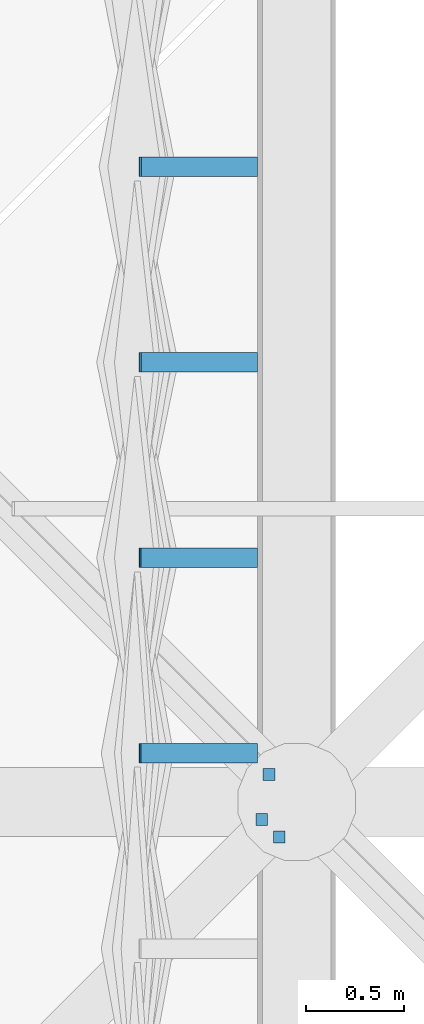
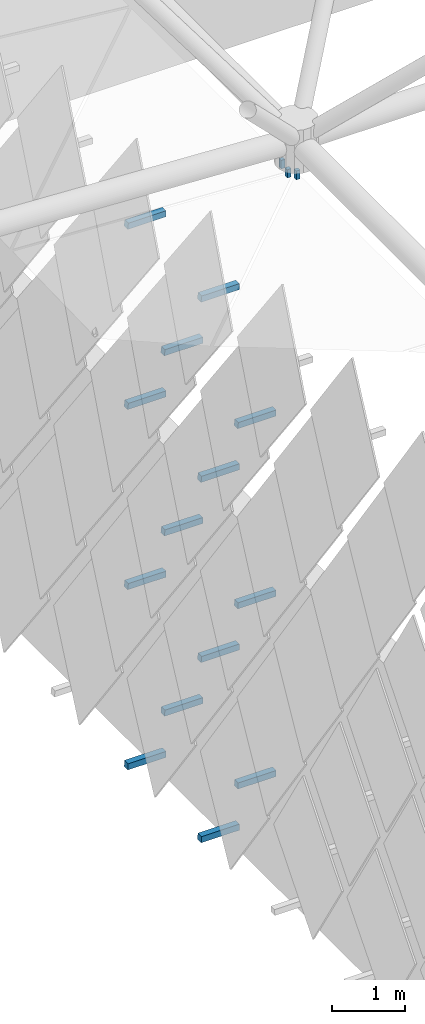
# One storey, part 361 of 437: 17 discrete accessories.
"""IFC4 building model written with IfcOpenShell, lengths in metres."""

import ifcopenshell
import ifcopenshell.guid

model = None  # the IFC model being written
_history = None  # IfcOwnerHistory: only IFC2X3 demands one
_inside = {}  # id of a spatial element -> (the spatial element, [elements in it])
_under = {}  # id of a project, library or spatial element -> (it, [spatial elements below it])
_declared = {}  # id of a project -> (the project, [libraries it declares])
_typed = {}  # id of a type object -> (the type object, [elements of that type])
_made_of = {}  # id of a material, layer set ... -> (it, [elements and type objects made of it])


def new_model(schema):
    """Start an empty IFC model of exactly this schema.

    Asked for "IFC4X3", IfcOpenShell would pick the latest addendum, in which some entities
    have other attributes; the version numbers below select the first issue.
    IFC2X3 requires an IfcOwnerHistory on every rooted entity: one is made here for all.
    """
    global model, _history
    if schema == "IFC4X3":
        model = ifcopenshell.file(schema_version=(4, 3, 0, 0))
    else:
        model = ifcopenshell.file(schema=schema)
    _inside.clear()
    _under.clear()
    _declared.clear()
    _typed.clear()
    _made_of.clear()
    _history = None
    if model.schema == "IFC2X3":
        org = make("IfcOrganization", Name="unknown")
        user = make(
            "IfcPersonAndOrganization",
            ThePerson=make("IfcPerson", FamilyName="unknown"),
            TheOrganization=org,
        )
        app = make(
            "IfcApplication",
            ApplicationDeveloper=org,
            Version="unknown",
            ApplicationFullName="unknown",
            ApplicationIdentifier="unknown",
        )
        _history = make(
            "IfcOwnerHistory",
            OwningUser=user,
            OwningApplication=app,
            ChangeAction="ADDED",
            CreationDate=0,
        )
    return model


def make(cls, **values):
    """One entity of the class cls with the attributes given. An attribute that is None is left unset."""
    return model.create_entity(
        cls, **{name: value for name, value in values.items() if value is not None}
    )


def rooted(cls, **values):
    """An entity with a GlobalId (a new one), such as an element, a storey or a relation."""
    return make(cls, GlobalId=ifcopenshell.guid.new(), OwnerHistory=_history, **values)


def si_unit(unit_type, name, prefix=None):
    """IfcSIUnit, for example si_unit("LENGTHUNIT", "METRE", prefix="MILLI")."""
    return make("IfcSIUnit", UnitType=unit_type, Prefix=prefix, Name=name)


def assignment(units):
    """IfcUnitAssignment: the units of a project."""
    return None if units is None else make("IfcUnitAssignment", Units=units)


def point(xyz):
    """IfcCartesianPoint."""
    return None if xyz is None else make("IfcCartesianPoint", Coordinates=xyz)


def direction(xyz):
    """IfcDirection."""
    return None if xyz is None else make("IfcDirection", DirectionRatios=xyz)


def frame(location, z_axis=None, x_axis=None):
    """IfcAxis2Placement3D, a coordinate frame: its origin and axes. An axis left out is left unset."""
    return make(
        "IfcAxis2Placement3D",
        Location=point(location),
        Axis=direction(z_axis),
        RefDirection=direction(x_axis),
    )


def origin():
    """The frame at (0, 0, 0) with its axes left unset."""
    return frame((0.0, 0.0, 0.0))


def place(relative_to, where):
    """IfcLocalPlacement: puts the frame where relative to a parent placement (None: the world)."""
    return make(
        "IfcLocalPlacement", PlacementRelTo=relative_to, RelativePlacement=where
    )


def context(
    kind, dimensions, precision=None, world=None, true_north=None, identifier=None
):
    """IfcGeometricRepresentationContext, for example the 3D "Model" context."""
    return make(
        "IfcGeometricRepresentationContext",
        ContextIdentifier=identifier,
        ContextType=kind,
        CoordinateSpaceDimension=dimensions,
        Precision=precision,
        WorldCoordinateSystem=world,
        TrueNorth=true_north,
    )


def subcontext(parent, identifier, kind, view, scale=None):
    """IfcGeometricRepresentationSubContext, for example "Body" below "Model"."""
    return make(
        "IfcGeometricRepresentationSubContext",
        ContextIdentifier=identifier,
        ContextType=kind,
        ParentContext=parent,
        TargetScale=scale,
        TargetView=view,
    )


def project(units=None, contexts=None):
    """IfcProject with its units and contexts."""
    return rooted(
        "IfcProject",
        Name="project",
        RepresentationContexts=contexts,
        UnitsInContext=assignment(units),
    )


def spatial(cls, under=None, at=None, **own):
    """A site, building, storey or space (cls), placed at a placement, below another one or the project."""
    s = rooted(cls, ObjectPlacement=at, **own)
    if under is not None:
        _under.setdefault(under.id(), (under, []))[1].append(s)
    return s


def polyline(points):
    """IfcPolyline through the points."""
    return make("IfcPolyline", Points=[point(p) for p in points])


def outline(outer, holes=None, kind="AREA"):
    """IfcArbitraryClosedProfileDef: a profile drawn as a closed curve; with holes, ...WithVoids."""
    if holes is None:
        return make("IfcArbitraryClosedProfileDef", ProfileType=kind, OuterCurve=outer)
    return make(
        "IfcArbitraryProfileDefWithVoids",
        ProfileType=kind,
        OuterCurve=outer,
        InnerCurves=holes,
    )


def extrude(swept, where, along, depth):
    """IfcExtrudedAreaSolid: the profile swept, set in the frame where, extruded along a direction by depth."""
    return make(
        "IfcExtrudedAreaSolid",
        SweptArea=swept,
        Position=where,
        ExtrudedDirection=direction(along),
        Depth=depth,
    )


def shape(context_of_items, identifier, shape_type, items):
    """IfcShapeRepresentation: the items that make up one representation, for example the "Body"."""
    return make(
        "IfcShapeRepresentation",
        ContextOfItems=context_of_items,
        RepresentationIdentifier=identifier,
        RepresentationType=shape_type,
        Items=items,
    )


def material(Name=None, Category=None):
    """IfcMaterial."""
    return make("IfcMaterial", Name=Name, Category=Category)


def made_of(thing, what):
    """Note that an element or type object is made of a material, layer set ...; save() writes the relation."""
    if what is not None:
        _made_of.setdefault(what.id(), (what, []))[1].append(thing)
    return thing


def type_object(cls, material=None, **own):
    """A type object (cls), such as IfcWallType, which elements share."""
    return made_of(rooted(cls, **own), material)


def element(
    cls,
    number,
    at=None,
    inside=None,
    cuts=None,
    type_object=None,
    material=None,
    context=None,
    identifier="Body",
    shape_type=None,
    held_by="IfcProductDefinitionShape",
    body=None,
    shapes=None,
    **own,
):
    """One element of the class cls, such as IfcWall. Its Tag is "e" and its number.

    at: its placement. inside: the storey or other place that contains it. cuts: it is an
    opening in that element (IfcRelVoidsElement). A single representation is given by context,
    identifier, shape_type and body (its items); several are given by shapes. held_by: the class
    of the entity that holds the representations. save() writes the other relations.
    """
    e = rooted(cls, Tag="e%d" % number, ObjectPlacement=at, **own)
    if body is not None:
        shapes = [shape(context, identifier, shape_type, body)]
    if shapes is not None:
        e.Representation = make(held_by, Representations=shapes)
    if inside is not None:
        _inside.setdefault(inside.id(), (inside, []))[1].append(e)
    if cuts is not None:
        rooted(
            "IfcRelVoidsElement", RelatingBuildingElement=cuts, RelatedOpeningElement=e
        )
    if type_object is not None:
        _typed.setdefault(type_object.id(), (type_object, []))[1].append(e)
    return made_of(e, material)


def aggregate(whole, parts):
    """IfcRelAggregates: a whole, such as a stair, and the parts it consists of."""
    return rooted("IfcRelAggregates", RelatingObject=whole, RelatedObjects=parts)


def save(model, path):
    """Write the relations noted so far, then the file.

    IfcRelAggregates (storeys below a building ...), IfcRelContainedInSpatialStructure (elements
    in a storey), IfcRelDefinesByType, IfcRelAssociatesMaterial and IfcRelDeclares: one each for
    every whole, place, type object, material and project.
    """
    for whole, parts in _under.values():
        aggregate(whole, parts)
    for where, things in _inside.values():
        rooted(
            "IfcRelContainedInSpatialStructure",
            RelatedElements=things,
            RelatingStructure=where,
        )
    for kind, things in _typed.values():
        rooted("IfcRelDefinesByType", RelatedObjects=things, RelatingType=kind)
    for what, things in _made_of.values():
        rooted("IfcRelAssociatesMaterial", RelatedObjects=things, RelatingMaterial=what)
    for by, libraries in _declared.values():
        rooted("IfcRelDeclares", RelatingContext=by, RelatedDefinitions=libraries)
    model.write(path)


model = new_model("IFC4")

# Units and contexts
model_context = context("Model", 3, precision=1e-05, world=origin(), true_north=direction((0.0, 1.0)))
body_context = subcontext(model_context, "Body", "Model", "MODEL_VIEW")
ifc_project = project(units=[si_unit("LENGTHUNIT", "METRE"), si_unit("AREAUNIT", "SQUARE_METRE"), si_unit("VOLUMEUNIT", "CUBIC_METRE"), si_unit("PLANEANGLEUNIT", "RADIAN"), si_unit("MASSUNIT", "GRAM", prefix="KILO")], contexts=[model_context])

# Site, building, storey
site_placement = place(None, origin())
site = spatial("IfcSite", under=ifc_project, at=site_placement, CompositionType="ELEMENT")
building_placement = place(site_placement, origin())
building = spatial("IfcBuilding", under=site, at=building_placement, Name="Opaline Strait Convention Centre", CompositionType="ELEMENT")
storey_placement = place(building_placement, frame((0.0, 0.0, 11.5)))
storey = spatial("IfcBuildingStorey", under=building, at=storey_placement, Name="L02", CompositionType="ELEMENT", Elevation=11.5)

# Discrete accessories
ifc_material = material(Name="Steel Q355B", Category="steel")
discrete_accessory_type_1 = type_object("IfcDiscreteAccessoryType", Name="Soffit hanger 60x60 steel", PredefinedType="BRACKET", material=ifc_material)
discrete_accessory_1_placement = place(storey_placement, frame((0.0, 0.0, 11.9931640625)))
element("IfcDiscreteAccessory", 1, at=discrete_accessory_1_placement, inside=storey, type_object=discrete_accessory_type_1, Name="Soffit hanger", PredefinedType="BRACKET", context=body_context, shape_type="SweptSolid", body=[
    extrude(outline(polyline([(98.880859375, 116.791015625), (98.940673828125, 116.791015625), (98.940673828125, 116.85107421875), (98.880859375, 116.85107421875), (98.880859375, 116.791015625)])), origin(), (0.0, 0.0, 1.0), 0.146728515625),
])
discrete_accessory_2_placement = place(storey_placement, frame((0.0, 0.0, 11.999267578125)))
element("IfcDiscreteAccessory", 2, at=discrete_accessory_2_placement, inside=storey, type_object=discrete_accessory_type_1, Name="Soffit hanger", PredefinedType="BRACKET", context=body_context, shape_type="SweptSolid", body=[
    extrude(outline(polyline([(98.791015625, 116.880859375), (98.85107421875, 116.880859375), (98.85107421875, 116.940673828125), (98.791015625, 116.940673828125), (98.791015625, 116.880859375)])), origin(), (0.0, 0.0, 1.0), 0.140625),
])
discrete_accessory_3_placement = place(storey_placement, frame((0.0, 0.0, 11.998779296875)))
element("IfcDiscreteAccessory", 3, at=discrete_accessory_3_placement, inside=storey, type_object=discrete_accessory_type_1, Name="Soffit hanger", PredefinedType="BRACKET", context=body_context, shape_type="SweptSolid", body=[
    extrude(outline(polyline([(98.82861328125, 117.111328125), (98.888671875, 117.111328125), (98.888671875, 117.17138671875), (98.82861328125, 117.17138671875), (98.82861328125, 117.111328125)])), origin(), (0.0, 0.0, 1.0), 0.14111328125),
])
discrete_accessory_type_2 = type_object("IfcDiscreteAccessoryType", Name="Tile bracket 100x100 steel", PredefinedType="BRACKET", material=ifc_material)
discrete_accessory_4_placement = place(storey_placement, frame((98.800048828125, 120.300048828125, 0.39208984375), z_axis=(0.0, -1.0, 0.0), x_axis=(1.0, 0.0, 0.0)))
element("IfcDiscreteAccessory", 4, at=discrete_accessory_4_placement, inside=storey, type_object=discrete_accessory_type_2, Name="Tile bracket XT08 W", PredefinedType="BRACKET", context=body_context, shape_type="SweptSolid", body=[
    extrude(outline(polyline([(0.0, -0.050048828125), (0.0, 0.050048828125), (-0.596435546875, 0.050048828125), (-0.603515625, -0.050048828125), (0.0, -0.050048828125)])), origin(), (0.0, 0.0, 1.0), 0.10009765625),
])
discrete_accessory_5_placement = place(storey_placement, frame((98.800048828125, 118.300048828125, 0.39208984375), z_axis=(0.0, -1.0, 0.0), x_axis=(1.0, 0.0, 0.0)))
element("IfcDiscreteAccessory", 5, at=discrete_accessory_5_placement, inside=storey, type_object=discrete_accessory_type_2, Name="Tile bracket XT06 W", PredefinedType="BRACKET", context=body_context, shape_type="SweptSolid", body=[
    extrude(outline(polyline([(0.0, -0.050048828125), (0.0, 0.050048828125), (-0.597412109375, 0.050048828125), (-0.6025390625, -0.050048828125), (0.0, -0.050048828125)])), origin(), (0.0, 0.0, 1.0), 0.10009765625),
])
discrete_accessory_6_placement = place(storey_placement, frame((98.800048828125, 119.300048828125, 1.89208984375), z_axis=(0.0, -1.0, 0.0), x_axis=(1.0, 0.0, 0.0)))
element("IfcDiscreteAccessory", 6, at=discrete_accessory_6_placement, inside=storey, type_object=discrete_accessory_type_2, Name="Tile bracket XT09 W", PredefinedType="BRACKET", context=body_context, shape_type="SweptSolid", body=[
    extrude(outline(polyline([(0.0, -0.050048828125), (0.0, 0.050048828125), (-0.595947265625, 0.050048828125), (-0.60400390625, -0.050048828125), (0.0, -0.050048828125)])), origin(), (0.0, 0.0, 1.0), 0.10009765625),
])
discrete_accessory_7_placement = place(storey_placement, frame((98.800048828125, 117.300048828125, 1.89208984375), z_axis=(0.0, -1.0, 0.0), x_axis=(1.0, 0.0, 0.0)))
element("IfcDiscreteAccessory", 7, at=discrete_accessory_7_placement, inside=storey, type_object=discrete_accessory_type_2, Name="Tile bracket XT06 W", PredefinedType="BRACKET", context=body_context, shape_type="SweptSolid", body=[
    extrude(outline(polyline([(0.0, -0.050048828125), (0.0, 0.050048828125), (-0.597412109375, 0.050048828125), (-0.6025390625, -0.050048828125), (0.0, -0.050048828125)])), origin(), (0.0, 0.0, 1.0), 0.10009765625),
])
discrete_accessory_8_placement = place(storey_placement, frame((98.800048828125, 120.300048828125, 3.39208984375), z_axis=(0.0, -1.0, 0.0), x_axis=(1.0, 0.0, 0.0)))
element("IfcDiscreteAccessory", 8, at=discrete_accessory_8_placement, inside=storey, type_object=discrete_accessory_type_2, Name="Tile bracket XT12 W", PredefinedType="BRACKET", context=body_context, shape_type="SweptSolid", body=[
    extrude(outline(polyline([(0.0, -0.050048828125), (0.0, 0.050048828125), (-0.5947265625, 0.050048828125), (-0.605224609375, -0.050048828125), (0.0, -0.050048828125)])), origin(), (0.0, 0.0, 1.0), 0.10009765625),
])
discrete_accessory_9_placement = place(storey_placement, frame((98.800048828125, 118.300048828125, 3.39208984375), z_axis=(0.0, -1.0, 0.0), x_axis=(1.0, 0.0, 0.0)))
element("IfcDiscreteAccessory", 9, at=discrete_accessory_9_placement, inside=storey, type_object=discrete_accessory_type_2, Name="Tile bracket XT09 W", PredefinedType="BRACKET", context=body_context, shape_type="SweptSolid", body=[
    extrude(outline(polyline([(0.0, -0.050048828125), (0.0, 0.050048828125), (-0.595947265625, 0.050048828125), (-0.60400390625, -0.050048828125), (0.0, -0.050048828125)])), origin(), (0.0, 0.0, 1.0), 0.10009765625),
])
discrete_accessory_10_placement = place(storey_placement, frame((98.800048828125, 119.300048828125, 4.89208984375), z_axis=(0.0, -1.0, 0.0), x_axis=(1.0, 0.0, 0.0)))
element("IfcDiscreteAccessory", 10, at=discrete_accessory_10_placement, inside=storey, type_object=discrete_accessory_type_2, Name="Tile bracket XT13 W", PredefinedType="BRACKET", context=body_context, shape_type="SweptSolid", body=[
    extrude(outline(polyline([(0.0, -0.050048828125), (0.0, 0.050048828125), (-0.59423828125, 0.050048828125), (-0.605712890625, -0.050048828125), (0.0, -0.050048828125)])), origin(), (0.0, 0.0, 1.0), 0.10009765625),
])
discrete_accessory_11_placement = place(storey_placement, frame((98.800048828125, 117.300048828125, 4.89208984375), z_axis=(0.0, -1.0, 0.0), x_axis=(1.0, 0.0, 0.0)))
element("IfcDiscreteAccessory", 11, at=discrete_accessory_11_placement, inside=storey, type_object=discrete_accessory_type_2, Name="Tile bracket XT09 W", PredefinedType="BRACKET", context=body_context, shape_type="SweptSolid", body=[
    extrude(outline(polyline([(0.0, -0.050048828125), (0.0, 0.050048828125), (-0.595947265625, 0.050048828125), (-0.60400390625, -0.050048828125), (0.0, -0.050048828125)])), origin(), (0.0, 0.0, 1.0), 0.10009765625),
])
discrete_accessory_12_placement = place(storey_placement, frame((98.800048828125, 120.300048828125, 6.39208984375), z_axis=(0.0, -1.0, 0.0), x_axis=(1.0, 0.0, 0.0)))
element("IfcDiscreteAccessory", 12, at=discrete_accessory_12_placement, inside=storey, type_object=discrete_accessory_type_2, Name="Tile bracket XT15 W", PredefinedType="BRACKET", context=body_context, shape_type="SweptSolid", body=[
    extrude(outline(polyline([(0.0, -0.050048828125), (0.0, 0.050048828125), (-0.593505859375, 0.050048828125), (-0.606689453125, -0.050048828125), (0.0, -0.050048828125)])), origin(), (0.0, 0.0, 1.0), 0.10009765625),
])
discrete_accessory_13_placement = place(storey_placement, frame((98.800048828125, 118.300048828125, 6.39208984375), z_axis=(0.0, -1.0, 0.0), x_axis=(1.0, 0.0, 0.0)))
element("IfcDiscreteAccessory", 13, at=discrete_accessory_13_placement, inside=storey, type_object=discrete_accessory_type_2, Name="Tile bracket XT13 W", PredefinedType="BRACKET", context=body_context, shape_type="SweptSolid", body=[
    extrude(outline(polyline([(0.0, -0.050048828125), (0.0, 0.050048828125), (-0.59423828125, 0.050048828125), (-0.605712890625, -0.050048828125), (0.0, -0.050048828125)])), origin(), (0.0, 0.0, 1.0), 0.10009765625),
])
discrete_accessory_14_placement = place(storey_placement, frame((98.800048828125, 119.300048828125, 7.89208984375), z_axis=(0.0, -1.0, 0.0), x_axis=(1.0, 0.0, 0.0)))
element("IfcDiscreteAccessory", 14, at=discrete_accessory_14_placement, inside=storey, type_object=discrete_accessory_type_2, Name="Tile bracket XT16 W", PredefinedType="BRACKET", context=body_context, shape_type="SweptSolid", body=[
    extrude(outline(polyline([(0.0, -0.050048828125), (0.0, 0.050048828125), (-0.593017578125, 0.050048828125), (-0.60693359375, -0.050048828125), (0.0, -0.050048828125)])), origin(), (0.0, 0.0, 1.0), 0.10009765625),
])
discrete_accessory_15_placement = place(storey_placement, frame((98.800048828125, 117.300048828125, 7.89208984375), z_axis=(0.0, -1.0, 0.0), x_axis=(1.0, 0.0, 0.0)))
element("IfcDiscreteAccessory", 15, at=discrete_accessory_15_placement, inside=storey, type_object=discrete_accessory_type_2, Name="Tile bracket XT14 W", PredefinedType="BRACKET", context=body_context, shape_type="SweptSolid", body=[
    extrude(outline(polyline([(0.0, -0.050048828125), (0.0, 0.050048828125), (-0.59375, 0.050048828125), (-0.606201171875, -0.050048828125), (0.0, -0.050048828125)])), origin(), (0.0, 0.0, 1.0), 0.10009765625),
])
discrete_accessory_16_placement = place(storey_placement, frame((98.800048828125, 120.300048828125, 9.39208984375), z_axis=(0.0, -1.0, 0.0), x_axis=(1.0, 0.0, 0.0)))
element("IfcDiscreteAccessory", 16, at=discrete_accessory_16_placement, inside=storey, type_object=discrete_accessory_type_2, Name="Tile bracket XT15 W", PredefinedType="BRACKET", context=body_context, shape_type="SweptSolid", body=[
    extrude(outline(polyline([(0.0, -0.050048828125), (0.0, 0.050048828125), (-0.593505859375, 0.050048828125), (-0.606689453125, -0.050048828125), (0.0, -0.050048828125)])), origin(), (0.0, 0.0, 1.0), 0.10009765625),
])
discrete_accessory_17_placement = place(storey_placement, frame((98.800048828125, 118.300048828125, 9.39208984375), z_axis=(0.0, -1.0, 0.0), x_axis=(1.0, 0.0, 0.0)))
element("IfcDiscreteAccessory", 17, at=discrete_accessory_17_placement, inside=storey, type_object=discrete_accessory_type_2, Name="Tile bracket XT16 W", PredefinedType="BRACKET", context=body_context, shape_type="SweptSolid", body=[
    extrude(outline(polyline([(0.0, -0.050048828125), (0.0, 0.050048828125), (-0.593017578125, 0.050048828125), (-0.60693359375, -0.050048828125), (0.0, -0.050048828125)])), origin(), (0.0, 0.0, 1.0), 0.10009765625),
])

save(model, "model.ifc")
